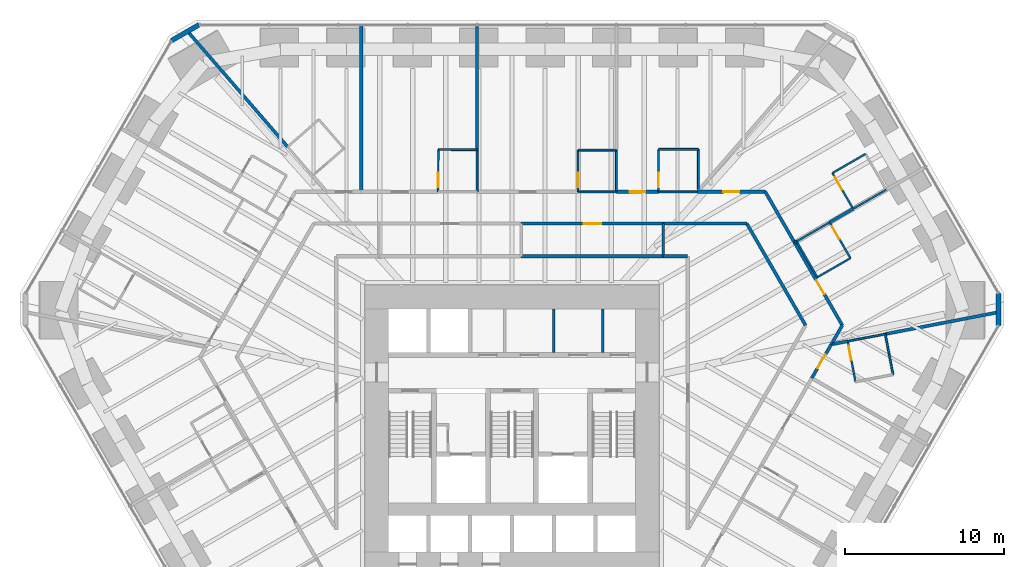
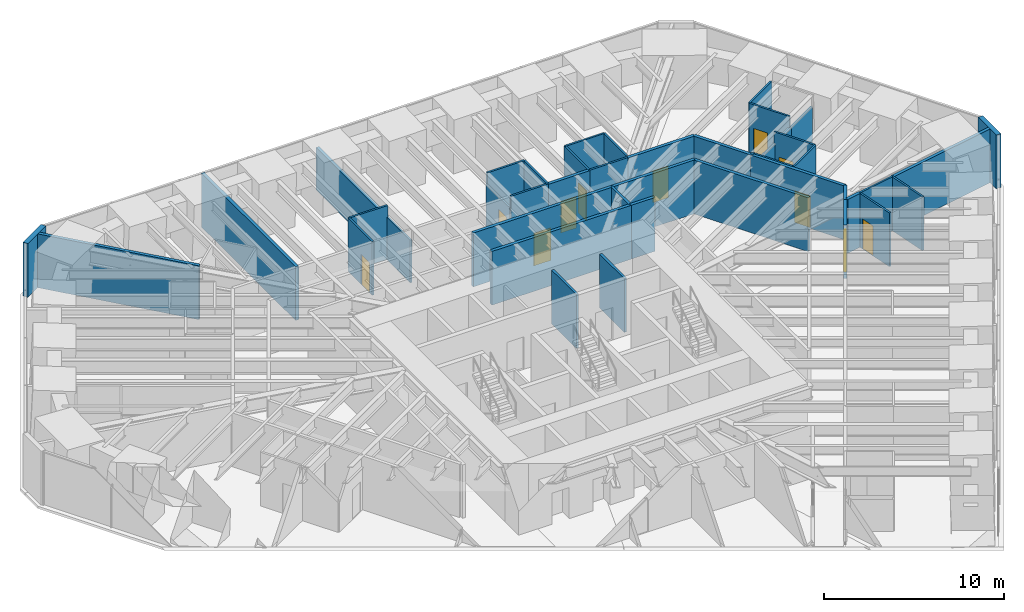
# One storey, part 15 of 17: 44 walls, 11 doors, 11 openings.
"""IFC4 building model written with IfcOpenShell, lengths in metres."""

from ifc_helpers import new_model, si_unit, direction, frame, frame_2d, origin, place, context, subcontext, project, spatial, rectangle, extrude, material, layer, layer_set, type_object, element, fill, save


model = new_model("IFC4")

# Units and contexts
model_context = context("Model", 3, precision=1e-05, world=origin(), true_north=direction((0.0, 1.0)))
body_context = subcontext(model_context, "Body", "Model", "MODEL_VIEW")
ifc_project = project(units=[si_unit("LENGTHUNIT", "METRE"), si_unit("AREAUNIT", "SQUARE_METRE"), si_unit("VOLUMEUNIT", "CUBIC_METRE"), si_unit("PLANEANGLEUNIT", "RADIAN"), si_unit("MASSUNIT", "GRAM", prefix="KILO")], contexts=[model_context])

# Site, building, storey
site_placement = place(None, origin())
site = spatial("IfcSite", under=ifc_project, at=site_placement, CompositionType="ELEMENT")
building_placement = place(site_placement, origin())
building = spatial("IfcBuilding", under=site, at=building_placement, Name="Sandreach Pilgrim Tower", CompositionType="ELEMENT")
storey_placement = place(building_placement, frame((0.0, 0.0, 61.0)))
storey = spatial("IfcBuildingStorey", under=building, at=storey_placement, Name="L14", CompositionType="ELEMENT", Elevation=61.0)

# Walls
ifc_material_1 = material(Name="Gypsum board on steel studs", Category="steel")
ifc_layer_1 = layer(ifc_material_1, 0.14990234375)
ifc_layer_set_1 = layer_set([ifc_layer_1], Name="Back of house wall 150")
wall_type_1 = type_object("IfcWallType", Name="Back of house wall 150", PredefinedType="PARTITIONING", material=ifc_layer_set_1)
wall_1_placement = place(storey_placement, frame((9.510009765625, 11.449951171875, 0.0), z_axis=(0.0, 0.0, 1.0), x_axis=(0.0, -1.0, 0.0)))
element("IfcWall", 1, at=wall_1_placement, inside=storey, type_object=wall_type_1, Name="Back of house wall L14-119", PredefinedType="PARTITIONING", context=body_context, shape_type="SweptSolid", body=[
    extrude(rectangle(XDim=2.050048828125, YDim=0.14990234375, at=frame_2d((1.02490234375, 0.0))), origin(), (0.0, 0.0, 1.0), 3.639892578125),
])
for number, where, z_axis, x_axis, name in (
    (2, (2.625, 3.35009765625, 0.0), (0.0, 0.0, 1.0), (0.0, 1.0, 0.0), "Core room partition L14 2"),
    (3, (5.699951171875, 3.35009765625, 0.0), (0.0, 0.0, 1.0), (0.0, 1.0, 0.0), "Core room partition L14 3"),
):
    element("IfcWall", number, at=place(storey_placement, frame(where, z_axis=z_axis, x_axis=x_axis)), inside=storey, type_object=wall_type_1, Name=name, PredefinedType="PARTITIONING", context=body_context, shape_type="SweptSolid", body=[
        extrude(rectangle(XDim=2.75, YDim=0.14990234375, at=frame_2d((1.375, 0.0))), origin(), (0.0, 0.0, 1.0), 3.639892578125),
    ])

# Wall, opening, door
ifc_material_2 = material(Name="Moisture-resistant gypsum board on steel studs", Category="steel")
ifc_layer_2 = layer(ifc_material_2, 0.1201171875)
ifc_layer_set_2 = layer_set([ifc_layer_2], Name="Bathroom partition 120")
wall_type_2 = type_object("IfcWallType", Name="Bathroom partition 120", PredefinedType="PARTITIONING", material=ifc_layer_set_2)
wall_2_placement = place(storey_placement, frame((-4.6298828125, 16.110107421875, 0.0), z_axis=(0.0, 0.0, 1.0), x_axis=(-0.003762822113, -0.99999292056, 0.0)))
wall_2 = element("IfcWall", 4, at=wall_2_placement, inside=storey, type_object=wall_type_2, Name="Bathroom partition L14-068", PredefinedType="PARTITIONING", context=body_context, shape_type="SweptSolid", body=[
    extrude(rectangle(XDim=2.66015625, YDim=0.1201171875, at=frame_2d((1.330078125, 0.0))), origin(), (0.0, 0.0, 1.0), 3.639892578125),
])
opening_1_placement = place(wall_2_placement, frame((1.4599609375, 0.0, 0.0)))
opening_1 = element("IfcOpeningElement", 5, at=opening_1_placement, cuts=wall_2, Name="Opening D09-02B", PredefinedType="OPENING", context=body_context, shape_type="SweptSolid", body=[
    extrude(rectangle(XDim=0.89990234375, YDim=2.030029296875, at=frame_2d((0.449951171875, 1.01513671875))), frame((0.0, 0.06005859375, 0.0), z_axis=(0.0, -1.0, 0.0), x_axis=(1.0, 0.0, 0.0)), (0.0, 0.0, 1.0), 0.1201171875),
])
ifc_material_3 = material(Name="Timber door, steel frame", Category="steel")
door_type_1 = type_object("IfcDoorType", Name="Bathroom door", OperationType="SINGLE_SWING_LEFT", PredefinedType="DOOR", material=ifc_material_3)
door_1_placement = place(opening_1_placement, origin())
door_1 = element("IfcDoor", 6, at=door_1_placement, inside=storey, type_object=door_type_1, Name="Door 1402B", OperationType="SINGLE_SWING_RIGHT", OverallHeight=2.030029296875, OverallWidth=0.89990234375, PredefinedType="DOOR", context=body_context, shape_type="SweptSolid", body=[
    extrude(rectangle(XDim=0.89990234375, YDim=2.030029296875, at=frame_2d((0.449951171875, 1.01513671875))), frame((0.0, 0.02490234375, 0.0), z_axis=(0.0, -1.0, 0.0), x_axis=(1.0, 0.0, 0.0)), (0.0, 0.0, 1.0), 0.050048828125),
])
fill(opening_1, door_1)

# Walls
wall_3_placement = place(storey_placement, frame((-2.18994140625, 16.10009765625, 0.0), z_axis=(0.0, 0.0, 1.0), x_axis=(-0.999991585011, 0.004102426955, 0.0)))
element("IfcWall", 7, at=wall_3_placement, inside=storey, type_object=wall_type_2, Name="Bathroom partition L14-080", PredefinedType="PARTITIONING", context=body_context, shape_type="SweptSolid", body=[
    extrude(rectangle(XDim=2.43994140625, YDim=0.1201171875, at=frame_2d((1.219970703125, 0.0))), origin(), (0.0, 0.0, 1.0), 3.639892578125),
])
wall_4_placement = place(storey_placement, frame((-2.18994140625, 16.10009765625, 0.0), z_axis=(0.0, 0.0, 1.0), x_axis=(0.0, -1.0, 0.0)))
element("IfcWall", 8, at=wall_4_placement, inside=storey, type_object=wall_type_2, Name="Bathroom partition L14-081", PredefinedType="PARTITIONING", context=body_context, shape_type="SweptSolid", body=[
    extrude(rectangle(XDim=2.650146484375, YDim=0.1201171875, at=frame_2d((1.3251953125, 0.0))), origin(), (0.0, 0.0, 1.0), 2.8779296875),
])

# Wall, opening, door
wall_5_placement = place(storey_placement, frame((4.159912109375, 16.070068359375, 0.0), z_axis=(0.0, 0.0, 1.0), x_axis=(0.0, -1.0, 0.0)))
wall_5 = element("IfcWall", 9, at=wall_5_placement, inside=storey, type_object=wall_type_2, Name="Bathroom partition L14-096", PredefinedType="PARTITIONING", context=body_context, shape_type="SweptSolid", body=[
    extrude(rectangle(XDim=2.6201171875, YDim=0.1201171875, at=frame_2d((1.31005859375, 0.0))), origin(), (0.0, 0.0, 1.0), 2.8779296875),
])
opening_2_placement = place(wall_5_placement, frame((1.419921875, 0.0, 0.0)))
opening_2 = element("IfcOpeningElement", 10, at=opening_2_placement, cuts=wall_5, Name="Opening D09-03B", PredefinedType="OPENING", context=body_context, shape_type="SweptSolid", body=[
    extrude(rectangle(XDim=0.89990234375, YDim=2.030029296875, at=frame_2d((0.449951171875, 1.01513671875))), frame((0.0, 0.06005859375, 0.0), z_axis=(0.0, -1.0, 0.0), x_axis=(1.0, 0.0, 0.0)), (0.0, 0.0, 1.0), 0.1201171875),
])
door_2_placement = place(opening_2_placement, origin())
door_2 = element("IfcDoor", 11, at=door_2_placement, inside=storey, type_object=door_type_1, Name="Door 1403B", OperationType="SINGLE_SWING_RIGHT", OverallHeight=2.030029296875, OverallWidth=0.89990234375, PredefinedType="DOOR", context=body_context, shape_type="SweptSolid", body=[
    extrude(rectangle(XDim=0.89990234375, YDim=2.030029296875, at=frame_2d((0.449951171875, 1.01513671875))), frame((0.0, 0.02490234375, 0.0), z_axis=(0.0, -1.0, 0.0), x_axis=(1.0, 0.0, 0.0)), (0.0, 0.0, 1.0), 0.050048828125),
])
fill(opening_2, door_2)

# Walls
for number, where, z_axis, x_axis, name in (
    (12, (6.56005859375, 13.449951171875, 0.0), (0.0, 0.0, 1.0), (-1.0, 0.0, 0.0), "Bathroom partition L14-104"),
    (13, (6.56005859375, 16.070068359375, 0.0), (0.0, 0.0, 1.0), (-1.0, 0.0, 0.0), "Bathroom partition L14-105"),
):
    element("IfcWall", number, at=place(storey_placement, frame(where, z_axis=z_axis, x_axis=x_axis)), inside=storey, type_object=wall_type_2, Name=name, PredefinedType="PARTITIONING", context=body_context, shape_type="SweptSolid", body=[
        extrude(rectangle(XDim=2.400146484375, YDim=0.1201171875, at=frame_2d((1.2001953125, 0.0))), origin(), (0.0, 0.0, 1.0), 3.639892578125),
    ])
wall_6_placement = place(storey_placement, frame((6.56005859375, 16.070068359375, 0.0), z_axis=(0.0, 0.0, 1.0), x_axis=(0.0, -1.0, 0.0)))
element("IfcWall", 14, at=wall_6_placement, inside=storey, type_object=wall_type_2, Name="Bathroom partition L14-106", PredefinedType="PARTITIONING", context=body_context, shape_type="SweptSolid", body=[
    extrude(rectangle(XDim=2.6201171875, YDim=0.1201171875, at=frame_2d((1.31005859375, 0.0))), origin(), (0.0, 0.0, 1.0), 3.639892578125),
])

# Wall, opening, door
wall_7_placement = place(storey_placement, frame((9.2099609375, 16.1201171875, 0.0), z_axis=(0.0, 0.0, 1.0), x_axis=(0.0, -1.0, 0.0)))
wall_7 = element("IfcWall", 15, at=wall_7_placement, inside=storey, type_object=wall_type_2, Name="Bathroom partition L14-117", PredefinedType="PARTITIONING", context=body_context, shape_type="SweptSolid", body=[
    extrude(rectangle(XDim=2.670166015625, YDim=0.1201171875, at=frame_2d((1.3349609375, 0.0))), origin(), (0.0, 0.0, 1.0), 3.639892578125),
])
opening_3_placement = place(wall_7_placement, frame((1.469970703125, 0.0, 0.0)))
opening_3 = element("IfcOpeningElement", 16, at=opening_3_placement, cuts=wall_7, Name="Opening D09-04B", PredefinedType="OPENING", context=body_context, shape_type="SweptSolid", body=[
    extrude(rectangle(XDim=0.89990234375, YDim=2.030029296875, at=frame_2d((0.449951171875, 1.01513671875))), frame((0.0, 0.06005859375, 0.0), z_axis=(0.0, -1.0, 0.0), x_axis=(1.0, 0.0, 0.0)), (0.0, 0.0, 1.0), 0.1201171875),
])
door_3_placement = place(opening_3_placement, origin())
door_3 = element("IfcDoor", 17, at=door_3_placement, inside=storey, type_object=door_type_1, Name="Door 1404B", OperationType="SINGLE_SWING_RIGHT", OverallHeight=2.030029296875, OverallWidth=0.89990234375, PredefinedType="DOOR", context=body_context, shape_type="SweptSolid", body=[
    extrude(rectangle(XDim=0.89990234375, YDim=2.030029296875, at=frame_2d((0.449951171875, 1.01513671875))), frame((0.0, 0.02490234375, 0.0), z_axis=(0.0, -1.0, 0.0), x_axis=(1.0, 0.0, 0.0)), (0.0, 0.0, 1.0), 0.050048828125),
])
fill(opening_3, door_3)

# Walls
wall_8_placement = place(storey_placement, frame((11.64990234375, 13.449951171875, 0.0), z_axis=(0.0, 0.0, 1.0), x_axis=(-1.0, 0.0, 0.0)))
element("IfcWall", 18, at=wall_8_placement, inside=storey, type_object=wall_type_2, Name="Bathroom partition L14-128", PredefinedType="PARTITIONING", context=body_context, shape_type="SweptSolid", body=[
    extrude(rectangle(XDim=2.43994140625, YDim=0.1201171875, at=frame_2d((1.219970703125, 0.0))), origin(), (0.0, 0.0, 1.0), 3.639892578125),
])
wall_9_placement = place(storey_placement, frame((11.7099609375, 13.60498046875, 0.0), z_axis=(0.0, 0.0, 1.0), x_axis=(0.0, 1.0, 0.0)))
element("IfcWall", 19, at=wall_9_placement, inside=storey, type_object=wall_type_2, Name="Bathroom partition L14-129", PredefinedType="PARTITIONING", context=body_context, shape_type="SweptSolid", body=[
    extrude(rectangle(XDim=2.51513671875, YDim=0.1201171875, at=frame_2d((1.257568359375, 0.0))), origin(), (0.0, 0.0, 1.0), 3.639892578125),
])
wall_10_placement = place(storey_placement, frame((11.7099609375, 16.1201171875, 0.0), z_axis=(0.0, 0.0, 1.0), x_axis=(-1.0, 0.0, 0.0)))
element("IfcWall", 20, at=wall_10_placement, inside=storey, type_object=wall_type_2, Name="Bathroom partition L14-130", PredefinedType="PARTITIONING", context=body_context, shape_type="SweptSolid", body=[
    extrude(rectangle(XDim=2.5, YDim=0.1201171875, at=frame_2d((1.25, 0.0))), origin(), (0.0, 0.0, 1.0), 3.639892578125),
])
wall_11_placement = place(storey_placement, frame((17.887939453125, 10.33349609375, 0.0), z_axis=(0.0, 0.0, 1.0), x_axis=(0.866473201492, 0.499223588281, 0.0)))
element("IfcWall", 21, at=wall_11_placement, inside=storey, type_object=wall_type_2, Name="Bathroom partition L14-145", PredefinedType="PARTITIONING", context=body_context, shape_type="SweptSolid", body=[
    extrude(rectangle(XDim=2.401123046875, YDim=0.1201171875, at=frame_2d((1.20068359375, 0.0))), origin(), (0.0, 0.0, 1.0), 2.860107421875),
])
wall_12_placement = place(storey_placement, frame((17.889892578125, 10.330078125, 0.0), z_axis=(0.0, 0.0, 1.0), x_axis=(0.500291685314, -0.865856933682, 0.0)))
element("IfcWall", 22, at=wall_12_placement, inside=storey, type_object=wall_type_2, Name="Bathroom partition L14-146", PredefinedType="PARTITIONING", context=body_context, shape_type="SweptSolid", body=[
    extrude(rectangle(XDim=2.5986328125, YDim=0.1201171875, at=frame_2d((1.29931640625, 0.0))), origin(), (0.0, 0.0, 1.0), 3.639892578125),
])
wall_13_placement = place(storey_placement, frame((19.18994140625, 8.080078125, 0.0), z_axis=(0.0, 0.0, 1.0), x_axis=(0.866202511239, 0.499693115345, 0.0)))
element("IfcWall", 23, at=wall_13_placement, inside=storey, type_object=wall_type_2, Name="Bathroom partition L14-150", PredefinedType="PARTITIONING", context=body_context, shape_type="SweptSolid", body=[
    extrude(rectangle(XDim=2.4013671875, YDim=0.1201171875, at=frame_2d((1.20068359375, 0.0))), origin(), (0.0, 0.0, 1.0), 3.639892578125),
])

# Wall, opening, door
wall_14_placement = place(storey_placement, frame((20.139892578125, 14.6298828125, 0.0), z_axis=(0.0, 0.0, 1.0), x_axis=(0.500291685314, -0.865856933682, 0.0)))
wall_14 = element("IfcWall", 24, at=wall_14_placement, inside=storey, type_object=wall_type_2, Name="Bathroom partition L14-153", PredefinedType="PARTITIONING", context=body_context, shape_type="SweptSolid", body=[
    extrude(rectangle(XDim=2.5986328125, YDim=0.1201171875, at=frame_2d((1.29931640625, 0.0))), origin(), (0.0, 0.0, 1.0), 3.639892578125),
])
opening_4_placement = place(wall_14_placement, frame((0.300048828125, 0.0, 0.0)))
opening_4 = element("IfcOpeningElement", 25, at=opening_4_placement, cuts=wall_14, Name="Opening D09-05B", PredefinedType="OPENING", context=body_context, shape_type="SweptSolid", body=[
    extrude(rectangle(XDim=0.89990234375, YDim=2.030029296875, at=frame_2d((0.449951171875, 1.01513671875))), frame((0.0, 0.06005859375, 0.0), z_axis=(0.0, -1.0, 0.0), x_axis=(1.0, 0.0, 0.0)), (0.0, 0.0, 1.0), 0.1201171875),
])
door_4_placement = place(opening_4_placement, origin())
door_4 = element("IfcDoor", 26, at=door_4_placement, inside=storey, type_object=door_type_1, Name="Door 1405B", OperationType="SINGLE_SWING_LEFT", OverallHeight=2.030029296875, OverallWidth=0.89990234375, PredefinedType="DOOR", context=body_context, shape_type="SweptSolid", body=[
    extrude(rectangle(XDim=0.89990234375, YDim=2.030029296875, at=frame_2d((0.449951171875, 1.01513671875))), frame((0.0, 0.02490234375, 0.0), z_axis=(0.0, -1.0, 0.0), x_axis=(1.0, 0.0, 0.0)), (0.0, 0.0, 1.0), 0.050048828125),
])
fill(opening_4, door_4)

wall_15_placement = place(storey_placement, frame((21.10009765625, 4.06005859375, 0.0), z_axis=(0.0, 0.0, 1.0), x_axis=(0.188697442844, -0.982035271802, 0.0)))
wall_15 = element("IfcWall", 27, at=wall_15_placement, inside=storey, type_object=wall_type_2, Name="Bathroom partition L14-155", PredefinedType="PARTITIONING", context=body_context, shape_type="SweptSolid", body=[
    extrude(rectangle(XDim=2.5966796875, YDim=0.1201171875, at=frame_2d((1.29833984375, 0.0))), origin(), (0.0, 0.0, 1.0), 3.639892578125),
])
opening_5_placement = place(wall_15_placement, frame((0.300048828125, 0.0, 0.0)))
opening_5 = element("IfcOpeningElement", 28, at=opening_5_placement, cuts=wall_15, Name="Opening D09-07B", PredefinedType="OPENING", context=body_context, shape_type="SweptSolid", body=[
    extrude(rectangle(XDim=0.89990234375, YDim=2.030029296875, at=frame_2d((0.449951171875, 1.01513671875))), frame((0.0, 0.06005859375, 0.0), z_axis=(0.0, -1.0, 0.0), x_axis=(1.0, 0.0, 0.0)), (0.0, 0.0, 1.0), 0.1201171875),
])
door_5_placement = place(opening_5_placement, origin())
door_5 = element("IfcDoor", 29, at=door_5_placement, inside=storey, type_object=door_type_1, Name="Door 1407B", OperationType="SINGLE_SWING_LEFT", OverallHeight=2.030029296875, OverallWidth=0.89990234375, PredefinedType="DOOR", context=body_context, shape_type="SweptSolid", body=[
    extrude(rectangle(XDim=0.89990234375, YDim=2.030029296875, at=frame_2d((0.449951171875, 1.01513671875))), frame((0.0, 0.02490234375, 0.0), z_axis=(0.0, -1.0, 0.0), x_axis=(1.0, 0.0, 0.0)), (0.0, 0.0, 1.0), 0.050048828125),
])
fill(opening_5, door_5)

# Wall
wall_16_placement = place(storey_placement, frame((21.099853515625, 4.06005859375, 0.0), z_axis=(0.0, 0.0, 1.0), x_axis=(0.982307423658, 0.187275533444, 0.0)))
element("IfcWall", 30, at=wall_16_placement, inside=storey, type_object=wall_type_2, Name="Bathroom partition L14-156", PredefinedType="PARTITIONING", context=body_context, shape_type="SweptSolid", body=[
    extrude(rectangle(XDim=2.402587890625, YDim=0.1201171875, at=frame_2d((1.201171875, 0.0))), origin(), (0.0, 0.0, 1.0), 3.639892578125),
])

# Wall, opening, door
wall_17_placement = place(storey_placement, frame((21.27001953125, 9.280029296875, 0.0), z_axis=(0.0, 0.0, 1.0), x_axis=(-0.500291685314, 0.865856933682, 0.0)))
wall_17 = element("IfcWall", 31, at=wall_17_placement, inside=storey, type_object=wall_type_2, Name="Bathroom partition L14-157", PredefinedType="PARTITIONING", context=body_context, shape_type="SweptSolid", body=[
    extrude(rectangle(XDim=2.5986328125, YDim=0.1201171875, at=frame_2d((1.29931640625, 0.0))), origin(), (0.0, 0.0, 1.0), 3.639892578125),
])
opening_6_placement = place(wall_17_placement, frame((1.398681640625, 0.0, 0.0)))
opening_6 = element("IfcOpeningElement", 32, at=opening_6_placement, cuts=wall_17, Name="Opening D09-06B", PredefinedType="OPENING", context=body_context, shape_type="SweptSolid", body=[
    extrude(rectangle(XDim=0.89990234375, YDim=2.030029296875, at=frame_2d((0.449951171875, 1.01513671875))), frame((0.0, 0.06005859375, 0.0), z_axis=(0.0, -1.0, 0.0), x_axis=(1.0, 0.0, 0.0)), (0.0, 0.0, 1.0), 0.1201171875),
])
door_6_placement = place(opening_6_placement, origin())
door_6 = element("IfcDoor", 33, at=door_6_placement, inside=storey, type_object=door_type_1, Name="Door 1406B", OperationType="SINGLE_SWING_RIGHT", OverallHeight=2.030029296875, OverallWidth=0.89990234375, PredefinedType="DOOR", context=body_context, shape_type="SweptSolid", body=[
    extrude(rectangle(XDim=0.89990234375, YDim=2.030029296875, at=frame_2d((0.449951171875, 1.01513671875))), frame((0.0, 0.02490234375, 0.0), z_axis=(0.0, -1.0, 0.0), x_axis=(1.0, 0.0, 0.0)), (0.0, 0.0, 1.0), 0.050048828125),
])
fill(opening_6, door_6)

# Walls
wall_18_placement = place(storey_placement, frame((21.4384765625, 12.3828125, 0.0), z_axis=(0.0, 0.0, 1.0), x_axis=(0.86683819662, 0.498589551516, 0.0)))
element("IfcWall", 34, at=wall_18_placement, inside=storey, type_object=wall_type_2, Name="Bathroom partition L14-158", PredefinedType="PARTITIONING", context=body_context, shape_type="SweptSolid", body=[
    extrude(rectangle(XDim=2.4013671875, YDim=0.1201171875, at=frame_2d((1.20068359375, 0.0))), origin(), (0.0, 0.0, 1.0), 2.860107421875),
])
wall_19_placement = place(storey_placement, frame((22.219970703125, 15.830078125, 0.0), z_axis=(0.0, 0.0, 1.0), x_axis=(-0.866177122335, -0.499737123639, 0.0)))
element("IfcWall", 35, at=wall_19_placement, inside=storey, type_object=wall_type_2, Name="Bathroom partition L14-160", PredefinedType="PARTITIONING", context=body_context, shape_type="SweptSolid", body=[
    extrude(rectangle(XDim=2.401123046875, YDim=0.1201171875, at=frame_2d((1.20068359375, 0.0))), origin(), (0.0, 0.0, 1.0), 3.639892578125),
])
wall_20_placement = place(storey_placement, frame((23.949951171875, 1.9599609375, 0.0), z_axis=(0.0, 0.0, 1.0), x_axis=(-0.188697442844, 0.982035271802, 0.0)))
element("IfcWall", 36, at=wall_20_placement, inside=storey, type_object=wall_type_2, Name="Bathroom partition L14-164", PredefinedType="PARTITIONING", context=body_context, shape_type="SweptSolid", body=[
    extrude(rectangle(XDim=2.5966796875, YDim=0.1201171875, at=frame_2d((1.29833984375, 0.0))), origin(), (0.0, 0.0, 1.0), 3.639892578125),
])

# Wall, opening, door
ifc_material_4 = material(Name="Gypsum board on steel studs, two layers each side", Category="steel")
ifc_layer_3 = layer(ifc_material_4, 0.199951171875)
ifc_layer_set_3 = layer_set([ifc_layer_3], Name="Corridor wall 200")
wall_type_3 = type_object("IfcWallType", Name="Corridor wall 200", PredefinedType="PARTITIONING", material=ifc_layer_set_3)
wall_21_placement = place(storey_placement, frame((0.580078125, 11.449951171875, 0.0), z_axis=(0.0, 0.0, 1.0), x_axis=(1.0, 0.0, 0.0)))
wall_21 = element("IfcWall", 37, at=wall_21_placement, inside=storey, type_object=wall_type_3, Name="Corridor wall L14-091", PredefinedType="PARTITIONING", context=body_context, shape_type="SweptSolid", body=[
    extrude(rectangle(XDim=8.929931640625, YDim=0.199951171875, at=frame_2d((4.46484375, 0.0))), origin(), (0.0, 0.0, 1.0), 3.639892578125),
])
opening_7_placement = place(wall_21_placement, frame((3.9150390625, 0.0, 0.0)))
opening_7 = element("IfcOpeningElement", 38, at=opening_7_placement, cuts=wall_21, Name="Opening D11H-M03", PredefinedType="OPENING", context=body_context, shape_type="SweptSolid", body=[
    extrude(rectangle(XDim=1.10009765625, YDim=2.199951171875, at=frame_2d((0.550048828125, 1.10009765625))), frame((0.0, 0.10009765625, 0.0), z_axis=(0.0, -1.0, 0.0), x_axis=(1.0, 0.0, 0.0)), (0.0, 0.0, 1.0), 0.199951171875),
])
ifc_material_5 = material(Name="Steel door and frame", Category="steel")
door_type_2 = type_object("IfcDoorType", Name="Back of house door", OperationType="SINGLE_SWING_LEFT", PredefinedType="DOOR", material=ifc_material_5)
door_7_placement = place(opening_7_placement, origin())
door_7 = element("IfcDoor", 39, at=door_7_placement, inside=storey, type_object=door_type_2, Name="Door 14M03", OperationType="SINGLE_SWING_LEFT", OverallHeight=2.199951171875, OverallWidth=1.10009765625, PredefinedType="DOOR", context=body_context, shape_type="SweptSolid", body=[
    extrude(rectangle(XDim=1.10009765625, YDim=2.199951171875, at=frame_2d((0.550048828125, 1.10009765625))), frame((0.0, 0.02490234375, 0.0), z_axis=(0.0, -1.0, 0.0), x_axis=(1.0, 0.0, 0.0)), (0.0, 0.0, 1.0), 0.050048828125),
])
fill(opening_7, door_7)

wall_22_placement = place(storey_placement, frame((9.2099609375, 13.449951171875, 0.0), z_axis=(0.0, 0.0, 1.0), x_axis=(-1.0, 0.0, 0.0)))
wall_22 = element("IfcWall", 40, at=wall_22_placement, inside=storey, type_object=wall_type_3, Name="Corridor wall L14-116", PredefinedType="PARTITIONING", context=body_context, shape_type="SweptSolid", body=[
    extrude(rectangle(XDim=2.64990234375, YDim=0.199951171875, at=frame_2d((1.324951171875, 0.0))), origin(), (0.0, 0.0, 1.0), 3.639892578125),
])
opening_8_placement = place(wall_22_placement, frame((0.824951171875, 0.0, 0.0)))
opening_8 = element("IfcOpeningElement", 41, at=opening_8_placement, cuts=wall_22, Name="Opening D10-04", PredefinedType="OPENING", context=body_context, shape_type="SweptSolid", body=[
    extrude(rectangle(XDim=1.0, YDim=2.1298828125, at=frame_2d((0.5, 1.06494140625))), frame((0.0, 0.10009765625, 0.0), z_axis=(0.0, -1.0, 0.0), x_axis=(1.0, 0.0, 0.0)), (0.0, 0.0, 1.0), 0.199951171875),
])
ifc_material_6 = material(Name="Steel door and frame", Category="steel")
door_type_3 = type_object("IfcDoorType", Name="Guest room entry door", OperationType="SINGLE_SWING_LEFT", PredefinedType="DOOR", material=ifc_material_6)
door_8_placement = place(opening_8_placement, origin())
door_8 = element("IfcDoor", 42, at=door_8_placement, inside=storey, type_object=door_type_3, Name="Door 1404", OperationType="SINGLE_SWING_LEFT", OverallHeight=2.1298828125, OverallWidth=1.0, PredefinedType="DOOR", context=body_context, shape_type="SweptSolid", body=[
    extrude(rectangle(XDim=1.0, YDim=2.1298828125, at=frame_2d((0.5, 1.06494140625))), frame((0.0, 0.02490234375, 0.0), z_axis=(0.0, -1.0, 0.0), x_axis=(1.0, 0.0, 0.0)), (0.0, 0.0, 1.0), 0.050048828125),
])
fill(opening_8, door_8)

# Walls
wall_23_placement = place(storey_placement, frame((9.510009765625, 9.39990234375, 0.0), z_axis=(0.0, 0.0, 1.0), x_axis=(-1.0, 0.0, 0.0)))
element("IfcWall", 43, at=wall_23_placement, inside=storey, type_object=wall_type_3, Name="Corridor wall L14-118", PredefinedType="PARTITIONING", context=body_context, shape_type="SweptSolid", body=[
    extrude(rectangle(XDim=8.929931640625, YDim=0.199951171875, at=frame_2d((4.46484375, 0.0))), origin(), (0.0, 0.0, 1.0), 3.639892578125),
])
wall_24_placement = place(storey_placement, frame((9.510009765625, 11.449951171875, 0.0), z_axis=(0.0, 0.0, 1.0), x_axis=(1.0, 0.0, 0.0)))
element("IfcWall", 44, at=wall_24_placement, inside=storey, type_object=wall_type_3, Name="Corridor wall L14-120", PredefinedType="PARTITIONING", context=body_context, shape_type="SweptSolid", body=[
    extrude(rectangle(XDim=5.25, YDim=0.199951171875, at=frame_2d((2.625, 0.0))), origin(), (0.0, 0.0, 1.0), 3.639892578125),
])
wall_25_placement = place(storey_placement, frame((11.0400390625, 9.39990234375, 0.0), z_axis=(0.0, 0.0, 1.0), x_axis=(-1.0, 0.0, 0.0)))
element("IfcWall", 45, at=wall_25_placement, inside=storey, type_object=wall_type_3, Name="Corridor wall L14-125", PredefinedType="PARTITIONING", context=body_context, shape_type="SweptSolid", body=[
    extrude(rectangle(XDim=1.530029296875, YDim=0.199951171875, at=frame_2d((0.76513671875, 0.0))), origin(), (0.0, 0.0, 1.0), 3.639892578125),
])
wall_26_placement = place(storey_placement, frame((14.760009765625, 11.449951171875, 0.0), z_axis=(0.0, 0.0, 1.0), x_axis=(0.500074726567, -0.865982256082, 0.0)))
element("IfcWall", 46, at=wall_26_placement, inside=storey, type_object=wall_type_3, Name="Corridor wall L14-136", PredefinedType="PARTITIONING", context=body_context, shape_type="SweptSolid", body=[
    extrude(rectangle(XDim=7.378662109375, YDim=0.199951171875, at=frame_2d((3.689453125, 0.0))), origin(), (0.0, 0.0, 1.0), 3.639892578125),
])

# Wall, opening, door
wall_27_placement = place(storey_placement, frame((15.919921875, 13.449951171875, 0.0), z_axis=(0.0, 0.0, 1.0), x_axis=(-1.0, 0.0, 0.0)))
wall_27 = element("IfcWall", 47, at=wall_27_placement, inside=storey, type_object=wall_type_3, Name="Corridor wall L14-138", PredefinedType="PARTITIONING", context=body_context, shape_type="SweptSolid", body=[
    extrude(rectangle(XDim=4.27001953125, YDim=0.199951171875, at=frame_2d((2.135009765625, 0.0))), origin(), (0.0, 0.0, 1.0), 3.639892578125),
])
opening_9_placement = place(wall_27_placement, frame((1.635009765625, 0.0, 0.0)))
opening_9 = element("IfcOpeningElement", 48, at=opening_9_placement, cuts=wall_27, Name="Opening D10-05", PredefinedType="OPENING", context=body_context, shape_type="SweptSolid", body=[
    extrude(rectangle(XDim=1.0, YDim=2.1298828125, at=frame_2d((0.5, 1.06494140625))), frame((0.0, 0.10009765625, 0.0), z_axis=(0.0, -1.0, 0.0), x_axis=(1.0, 0.0, 0.0)), (0.0, 0.0, 1.0), 0.199951171875),
])
door_9_placement = place(opening_9_placement, origin())
door_9 = element("IfcDoor", 49, at=door_9_placement, inside=storey, type_object=door_type_3, Name="Door 1405", OperationType="SINGLE_SWING_LEFT", OverallHeight=2.1298828125, OverallWidth=1.0, PredefinedType="DOOR", context=body_context, shape_type="SweptSolid", body=[
    extrude(rectangle(XDim=1.0, YDim=2.1298828125, at=frame_2d((0.5, 1.06494140625))), frame((0.0, 0.02490234375, 0.0), z_axis=(0.0, -1.0, 0.0), x_axis=(1.0, 0.0, 0.0)), (0.0, 0.0, 1.0), 0.050048828125),
])
fill(opening_9, door_9)

# Wall
wall_28_placement = place(storey_placement, frame((15.919921875, 13.449951171875, 0.0), z_axis=(0.0, 0.0, 1.0), x_axis=(0.499668886391, -0.866216487937, 0.0)))
element("IfcWall", 50, at=wall_28_placement, inside=storey, type_object=wall_type_3, Name="Corridor wall L14-139", PredefinedType="PARTITIONING", context=body_context, shape_type="SweptSolid", body=[
    extrude(rectangle(XDim=3.6826171875, YDim=0.199951171875, at=frame_2d((1.84130859375, 0.0))), origin(), (0.0, 0.0, 1.0), 3.639892578125),
])

# Wall, opening, door
wall_29_placement = place(storey_placement, frame((17.760009765625, 10.260009765625, 0.0), z_axis=(0.0, 0.0, 1.0), x_axis=(0.499725974117, -0.866183554908, 0.0)))
wall_29 = element("IfcWall", 51, at=wall_29_placement, inside=storey, type_object=wall_type_3, Name="Corridor wall L14-143", PredefinedType="PARTITIONING", context=body_context, shape_type="SweptSolid", body=[
    extrude(rectangle(XDim=6.003173828125, YDim=0.199951171875, at=frame_2d((3.00146484375, 0.0))), origin(), (0.0, 0.0, 1.0), 3.639892578125),
])
opening_10_placement = place(wall_29_placement, frame((2.75, 0.0, 0.0)))
opening_10 = element("IfcOpeningElement", 52, at=opening_10_placement, cuts=wall_29, Name="Opening D10-06", PredefinedType="OPENING", context=body_context, shape_type="SweptSolid", body=[
    extrude(rectangle(XDim=1.0, YDim=2.1298828125, at=frame_2d((0.5, 1.06494140625))), frame((0.0, 0.10009765625, 0.0), z_axis=(0.0, -1.0, 0.0), x_axis=(1.0, 0.0, 0.0)), (0.0, 0.0, 1.0), 0.199951171875),
])
door_10_placement = place(opening_10_placement, origin())
door_10 = element("IfcDoor", 53, at=door_10_placement, inside=storey, type_object=door_type_3, Name="Door 1406", OperationType="SINGLE_SWING_RIGHT", OverallHeight=2.1298828125, OverallWidth=1.0, PredefinedType="DOOR", context=body_context, shape_type="SweptSolid", body=[
    extrude(rectangle(XDim=1.0, YDim=2.1298828125, at=frame_2d((0.5, 1.06494140625))), frame((0.0, 0.02490234375, 0.0), z_axis=(0.0, -1.0, 0.0), x_axis=(1.0, 0.0, 0.0)), (0.0, 0.0, 1.0), 0.050048828125),
])
fill(opening_10, door_10)

wall_30_placement = place(storey_placement, frame((18.840087890625, 1.739990234375, 0.0), z_axis=(0.0, 0.0, 1.0), x_axis=(0.501813488763, 0.864975850817, 0.0)))
wall_30 = element("IfcWall", 54, at=wall_30_placement, inside=storey, type_object=wall_type_3, Name="Corridor wall L14-149", PredefinedType="PARTITIONING", context=body_context, shape_type="SweptSolid", body=[
    extrude(rectangle(XDim=2.451171875, YDim=0.199951171875, at=frame_2d((1.2255859375, 0.0))), origin(), (0.0, 0.0, 1.0), 3.639892578125),
])
opening_11_placement = place(wall_30_placement, frame((0.7255859375, 0.0, 0.0)))
opening_11 = element("IfcOpeningElement", 55, at=opening_11_placement, cuts=wall_30, Name="Opening D10-07", PredefinedType="OPENING", context=body_context, shape_type="SweptSolid", body=[
    extrude(rectangle(XDim=1.0, YDim=2.1298828125, at=frame_2d((0.5, 1.06494140625))), frame((0.0, 0.10009765625, 0.0), z_axis=(0.0, -1.0, 0.0), x_axis=(1.0, 0.0, 0.0)), (0.0, 0.0, 1.0), 0.199951171875),
])
door_11_placement = place(opening_11_placement, origin())
door_11 = element("IfcDoor", 56, at=door_11_placement, inside=storey, type_object=door_type_3, Name="Door 1407", OperationType="SINGLE_SWING_LEFT", OverallHeight=2.1298828125, OverallWidth=1.0, PredefinedType="DOOR", context=body_context, shape_type="SweptSolid", body=[
    extrude(rectangle(XDim=1.0, YDim=2.1298828125, at=frame_2d((0.5, 1.06494140625))), frame((0.0, 0.02490234375, 0.0), z_axis=(0.0, -1.0, 0.0), x_axis=(1.0, 0.0, 0.0)), (0.0, 0.0, 1.0), 0.050048828125),
])
fill(opening_11, door_11)

# Walls
wall_31_placement = place(storey_placement, frame((20.070068359375, 3.860107421875, 0.0), z_axis=(0.0, 0.0, 1.0), x_axis=(0.49845455473, 0.866915830325, 0.0)))
element("IfcWall", 57, at=wall_31_placement, inside=storey, type_object=wall_type_3, Name="Corridor wall L14-152", PredefinedType="PARTITIONING", context=body_context, shape_type="SweptSolid", body=[
    extrude(rectangle(XDim=1.38427734375, YDim=0.199951171875, at=frame_2d((0.692138671875, 0.0))), origin(), (0.0, 0.0, 1.0), 3.639892578125),
])
ifc_material_7 = material(Name="Double steel stud acoustic wall, gypsum board", Category="steel")
ifc_layer_4 = layer(ifc_material_7, 0.199951171875)
ifc_layer_set_4 = layer_set([ifc_layer_4], Name="Party wall 200")
wall_type_4 = type_object("IfcWallType", Name="Party wall 200", PredefinedType="PARTITIONING", material=ifc_layer_set_4)
wall_32_placement = place(storey_placement, frame((-20.400390625, 23.54736328125, 0.0), z_axis=(0.0, 0.0, 1.0), x_axis=(0.654910244559, -0.755706670323, 0.0)))
element("IfcWall", 58, at=wall_32_placement, inside=storey, type_object=wall_type_4, Name="Party wall L14-010", PredefinedType="PARTITIONING", context=body_context, shape_type="SweptSolid", body=[
    extrude(rectangle(XDim=9.6181640625, YDim=0.199951171875, at=frame_2d((4.80908203125, 0.0))), origin(), (0.0, 0.0, 1.0), 3.639892578125),
])
wall_33_placement = place(storey_placement, frame((-9.47998046875, 23.919921875, 0.0), z_axis=(0.0, 0.0, 1.0), x_axis=(0.0, -1.0, 0.0)))
element("IfcWall", 59, at=wall_33_placement, inside=storey, type_object=wall_type_4, Name="Party wall L14-055", PredefinedType="PARTITIONING", context=body_context, shape_type="SweptSolid", body=[
    extrude(rectangle(XDim=10.4599609375, YDim=0.199951171875, at=frame_2d((5.22998046875, 0.0))), origin(), (0.0, 0.0, 1.0), 3.639892578125),
])
wall_34_placement = place(storey_placement, frame((-2.18994140625, 23.830078125, 0.0), z_axis=(0.0, 0.0, 1.0), x_axis=(0.0, -1.0, 0.0)))
element("IfcWall", 60, at=wall_34_placement, inside=storey, type_object=wall_type_4, Name="Party wall L14-082", PredefinedType="PARTITIONING", context=body_context, shape_type="SweptSolid", body=[
    extrude(rectangle(XDim=7.72998046875, YDim=0.199951171875, at=frame_2d((3.864990234375, 0.0))), origin(), (0.0, 0.0, 1.0), 2.8779296875),
])
wall_35_placement = place(storey_placement, frame((17.77294921875, 10.267578125, 0.0), z_axis=(0.0, 0.0, 1.0), x_axis=(0.867562218799, 0.497328660458, 0.0)))
element("IfcWall", 61, at=wall_35_placement, inside=storey, type_object=wall_type_4, Name="Party wall L14-144", PredefinedType="PARTITIONING", context=body_context, shape_type="SweptSolid", body=[
    extrude(rectangle(XDim=0.132568359375, YDim=0.199951171875, at=frame_2d((0.06640625, 0.0))), origin(), (0.0, 0.0, 1.0), 3.639892578125),
])
wall_36_placement = place(storey_placement, frame((19.969970703125, 11.530029296875, 0.0), z_axis=(0.0, 0.0, 1.0), x_axis=(0.864762765167, 0.502180604942, 0.0)))
element("IfcWall", 62, at=wall_36_placement, inside=storey, type_object=wall_type_4, Name="Party wall L14-151", PredefinedType="PARTITIONING", context=body_context, shape_type="SweptSolid", body=[
    extrude(rectangle(XDim=1.6982421875, YDim=0.199951171875, at=frame_2d((0.84912109375, 0.0))), origin(), (0.0, 0.0, 1.0), 2.860107421875),
])
wall_37_placement = place(storey_placement, frame((20.168212890625, 3.879150390625, 0.0), z_axis=(0.0, 0.0, 1.0), x_axis=(0.981663556765, 0.190621775567, 0.0)))
element("IfcWall", 63, at=wall_37_placement, inside=storey, type_object=wall_type_4, Name="Party wall L14-154", PredefinedType="PARTITIONING", context=body_context, shape_type="SweptSolid", body=[
    extrude(rectangle(XDim=0.948974609375, YDim=0.199951171875, at=frame_2d((0.474609375, 0.0))), origin(), (0.0, 0.0, 1.0), 3.639892578125),
])
wall_38_placement = place(storey_placement, frame((23.4599609375, 4.510009765625, 0.0), z_axis=(0.0, 0.0, 1.0), x_axis=(0.981929870864, 0.189245155035, 0.0)))
element("IfcWall", 64, at=wall_38_placement, inside=storey, type_object=wall_type_4, Name="Party wall L14-161", PredefinedType="PARTITIONING", context=body_context, shape_type="SweptSolid", body=[
    extrude(rectangle(XDim=7.26171875, YDim=0.199951171875, at=frame_2d((3.630859375, 0.0))), origin(), (0.0, 0.0, 1.0), 3.639892578125),
])
ifc_material_8 = material(Name="Terracotta rainscreen on concrete", Category="masonry")
ifc_layer_5 = layer(ifc_material_8, 0.300048828125)
ifc_layer_set_5 = layer_set([ifc_layer_5], Name="Terracotta chamfer pier")
wall_type_5 = type_object("IfcWallType", Name="Terracotta chamfer pier", PredefinedType="SOLIDWALL", material=ifc_layer_set_5)
for number, where, z_axis, x_axis, name in (
    (65, (30.576171875, 7.062255859375, 0.0), (0.0, 0.0, 1.0), (0.0, -1.0, 0.0), "Chamfer pier L14 NE"),
    (66, (-21.404052734375, 22.94873046875, 0.0), (0.0, 0.0, 1.0), (0.866010750942, 0.50002537861, 0.0), "Chamfer pier L14 NW"),
):
    element("IfcWall", number, at=place(storey_placement, frame(where, z_axis=z_axis, x_axis=x_axis)), inside=storey, type_object=wall_type_5, Name=name, PredefinedType="SOLIDWALL", context=body_context, shape_type="SweptSolid", body=[
        extrude(rectangle(XDim=2.0, YDim=0.300048828125, at=frame_2d((1.0, 0.0))), origin(), (0.0, 0.0, 1.0), 3.639892578125),
    ])

save(model, "model.ifc")
